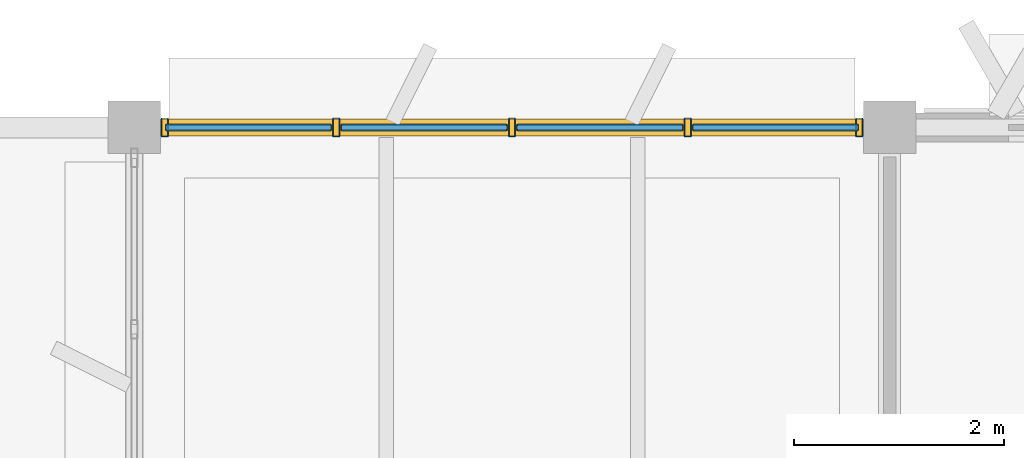
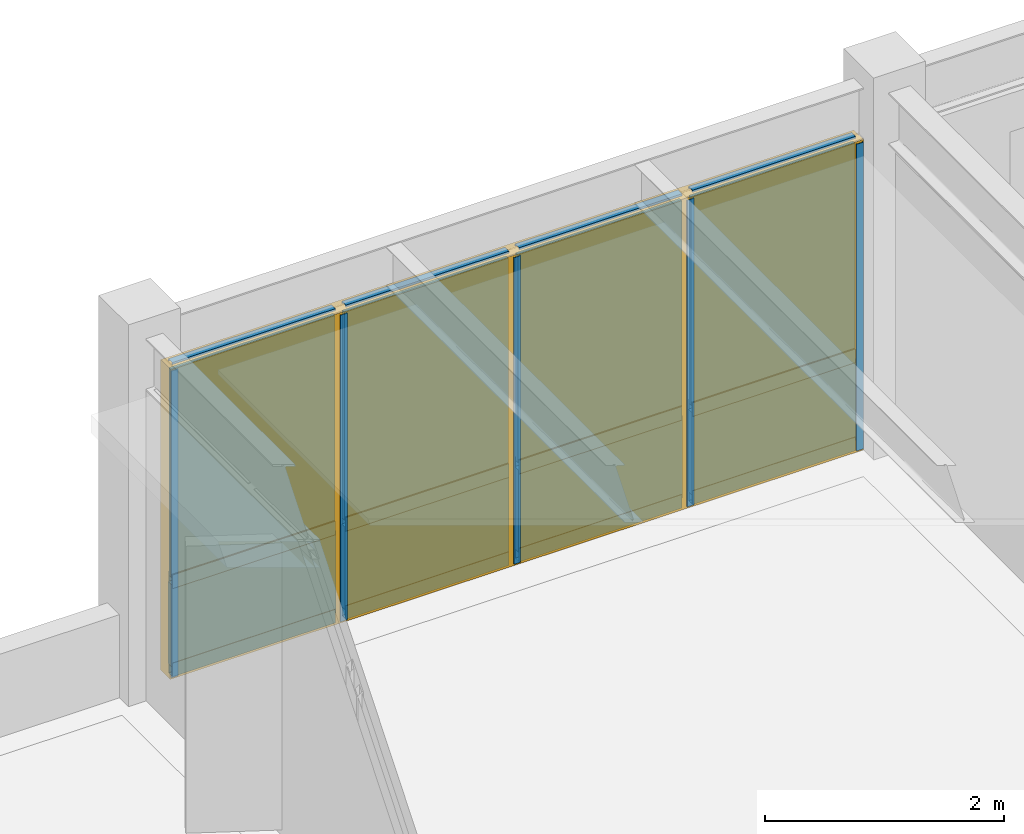
# One storey, part 15 of 23: 17 members, 8 plates, 1 curtain wall.
"""IFC4 building model written with IfcOpenShell, lengths in metres."""

from ifc_helpers import new_model, si_unit, direction, frame, origin, origin_2d, place, context, subcontext, project, spatial, rectangle, hollow_rectangle, extrude, material, layer, layer_set, material_profile, profile_set, type_object, element, aggregate, save


model = new_model("IFC4")

# Units and contexts
model_context = context("Model", 3, precision=1e-05, world=origin(), true_north=direction((0.0, 1.0)))
body_context = subcontext(model_context, "Body", "Model", "MODEL_VIEW")
ifc_project = project(units=[si_unit("LENGTHUNIT", "METRE"), si_unit("AREAUNIT", "SQUARE_METRE"), si_unit("VOLUMEUNIT", "CUBIC_METRE"), si_unit("PLANEANGLEUNIT", "RADIAN"), si_unit("MASSUNIT", "GRAM", prefix="KILO")], contexts=[model_context])

# Member
ifc_material_1 = material(Name="Anodized Aluminium 6063-T6", Category="aluminium")
ifc_material_profile_1 = material_profile(ifc_material_1, hollow_rectangle(XDim=0.06494140625, YDim=0.179931640625, WallThickness=0.00390625, at=origin_2d()), Name="ALU 65x180x4")
ifc_profile_set_1 = profile_set([ifc_material_profile_1], Name="Anodized Aluminium 6063-T6")
member_type_1 = type_object("IfcMemberType", Name="CWM-65X150", PredefinedType="MULLION", material=ifc_profile_set_1)
site_placement = place(None, origin())
building_placement = place(site_placement, origin())
storey_placement = place(building_placement, frame((0.0, 0.0, 21.89990234375)))
member_1_placement = place(storey_placement, frame((50.68994140625, 115.199951171875, 0.02001953125), z_axis=(0.0, 0.0, 1.0), x_axis=(1.0, 0.0, 0.0)))
member_1 = element("IfcMember", 1, at=member_1_placement, type_object=member_type_1, Name="Curtain wall mullion CW-L06-07-15-N-00", PredefinedType="MULLION", context=body_context, shape_type="SweptSolid", body=[
    extrude(hollow_rectangle(XDim=0.06494140625, YDim=0.179931640625, WallThickness=0.00390625, at=origin_2d()), origin(), (0.0, 0.0, 1.0), 3.132080078125),
])

member_2_placement = place(storey_placement, frame((52.324951171875, 115.199951171875, 0.02001953125), z_axis=(0.0, 0.0, 1.0), x_axis=(1.0, 0.0, 0.0)))
member_2 = element("IfcMember", 2, at=member_2_placement, type_object=member_type_1, Name="Curtain wall mullion CW-L06-07-15-N-01", PredefinedType="MULLION", context=body_context, shape_type="SweptSolid", body=[
    extrude(hollow_rectangle(XDim=0.06494140625, YDim=0.179931640625, WallThickness=0.00390625, at=origin_2d()), origin(), (0.0, 0.0, 1.0), 3.132080078125),
])

member_3_placement = place(storey_placement, frame((54.0, 115.199951171875, 0.02001953125), z_axis=(0.0, 0.0, 1.0), x_axis=(1.0, 0.0, 0.0)))
member_3 = element("IfcMember", 3, at=member_3_placement, type_object=member_type_1, Name="Curtain wall mullion CW-L06-07-15-N-02", PredefinedType="MULLION", context=body_context, shape_type="SweptSolid", body=[
    extrude(hollow_rectangle(XDim=0.06494140625, YDim=0.179931640625, WallThickness=0.00390625, at=origin_2d()), origin(), (0.0, 0.0, 1.0), 3.132080078125),
])

member_4_placement = place(storey_placement, frame((55.675048828125, 115.199951171875, 0.02001953125), z_axis=(0.0, 0.0, 1.0), x_axis=(1.0, 0.0, 0.0)))
member_4 = element("IfcMember", 4, at=member_4_placement, type_object=member_type_1, Name="Curtain wall mullion CW-L06-07-15-N-03", PredefinedType="MULLION", context=body_context, shape_type="SweptSolid", body=[
    extrude(hollow_rectangle(XDim=0.06494140625, YDim=0.179931640625, WallThickness=0.00390625, at=origin_2d()), origin(), (0.0, 0.0, 1.0), 3.132080078125),
])

member_5_placement = place(storey_placement, frame((57.31005859375, 115.199951171875, 0.02001953125), z_axis=(0.0, 0.0, 1.0), x_axis=(1.0, 0.0, 0.0)))
member_5 = element("IfcMember", 5, at=member_5_placement, type_object=member_type_1, Name="Curtain wall mullion CW-L06-07-15-N-04", PredefinedType="MULLION", context=body_context, shape_type="SweptSolid", body=[
    extrude(hollow_rectangle(XDim=0.06494140625, YDim=0.179931640625, WallThickness=0.00390625, at=origin_2d()), origin(), (0.0, 0.0, 1.0), 3.132080078125),
])

ifc_material_profile_2 = material_profile(ifc_material_1, hollow_rectangle(XDim=0.06494140625, YDim=0.139892578125, WallThickness=0.00390625, at=origin_2d()), Name="ALU 65x140x4")
ifc_profile_set_2 = profile_set([ifc_material_profile_2], Name="Anodized Aluminium 6063-T6")
member_type_2 = type_object("IfcMemberType", Name="CWT-65X120", PredefinedType="USERDEFINED", material=ifc_profile_set_2)
member_6_placement = place(storey_placement, frame((50.699951171875, 115.199951171875, 0.050048828125), z_axis=(1.0, 0.0, 0.0), x_axis=(0.0, 1.0, 0.0)))
member_6 = element("IfcMember", 6, at=member_6_placement, type_object=member_type_2, Name="Curtain wall transom CW-L06-07-15-N-1.01", ObjectType="TRANSOM", PredefinedType="USERDEFINED", context=body_context, shape_type="SweptSolid", body=[
    extrude(hollow_rectangle(XDim=0.06494140625, YDim=0.139892578125, WallThickness=0.00390625, at=origin_2d()), origin(), (0.0, 0.0, 1.0), 1.574951171875),
])

member_7_placement = place(storey_placement, frame((52.375, 115.199951171875, 0.050048828125), z_axis=(1.0, 0.0, 0.0), x_axis=(0.0, 1.0, 0.0)))
member_7 = element("IfcMember", 7, at=member_7_placement, type_object=member_type_2, Name="Curtain wall transom CW-L06-07-15-N-1.02", ObjectType="TRANSOM", PredefinedType="USERDEFINED", context=body_context, shape_type="SweptSolid", body=[
    extrude(hollow_rectangle(XDim=0.06494140625, YDim=0.139892578125, WallThickness=0.00390625, at=origin_2d()), origin(), (0.0, 0.0, 1.0), 1.574951171875),
])

member_8_placement = place(storey_placement, frame((54.050048828125, 115.199951171875, 0.050048828125), z_axis=(1.0, 0.0, 0.0), x_axis=(0.0, 1.0, 0.0)))
member_8 = element("IfcMember", 8, at=member_8_placement, type_object=member_type_2, Name="Curtain wall transom CW-L06-07-15-N-1.03", ObjectType="TRANSOM", PredefinedType="USERDEFINED", context=body_context, shape_type="SweptSolid", body=[
    extrude(hollow_rectangle(XDim=0.06494140625, YDim=0.139892578125, WallThickness=0.00390625, at=origin_2d()), origin(), (0.0, 0.0, 1.0), 1.574951171875),
])

member_9_placement = place(storey_placement, frame((55.72509765625, 115.199951171875, 0.050048828125), z_axis=(1.0, 0.0, 0.0), x_axis=(0.0, 1.0, 0.0)))
member_9 = element("IfcMember", 9, at=member_9_placement, type_object=member_type_2, Name="Curtain wall transom CW-L06-07-15-N-1.04", ObjectType="TRANSOM", PredefinedType="USERDEFINED", context=body_context, shape_type="SweptSolid", body=[
    extrude(hollow_rectangle(XDim=0.06494140625, YDim=0.139892578125, WallThickness=0.00390625, at=origin_2d()), origin(), (0.0, 0.0, 1.0), 1.574951171875),
])

member_10_placement = place(storey_placement, frame((50.699951171875, 115.199951171875, 0.9501953125), z_axis=(1.0, 0.0, 0.0), x_axis=(0.0, 1.0, 0.0)))
member_10 = element("IfcMember", 10, at=member_10_placement, type_object=member_type_2, Name="Curtain wall transom CW-L06-07-15-N-2.01", ObjectType="TRANSOM", PredefinedType="USERDEFINED", context=body_context, shape_type="SweptSolid", body=[
    extrude(hollow_rectangle(XDim=0.06494140625, YDim=0.139892578125, WallThickness=0.00390625, at=origin_2d()), origin(), (0.0, 0.0, 1.0), 1.574951171875),
])

member_11_placement = place(storey_placement, frame((52.375, 115.199951171875, 0.9501953125), z_axis=(1.0, 0.0, 0.0), x_axis=(0.0, 1.0, 0.0)))
member_11 = element("IfcMember", 11, at=member_11_placement, type_object=member_type_2, Name="Curtain wall transom CW-L06-07-15-N-2.02", ObjectType="TRANSOM", PredefinedType="USERDEFINED", context=body_context, shape_type="SweptSolid", body=[
    extrude(hollow_rectangle(XDim=0.06494140625, YDim=0.139892578125, WallThickness=0.00390625, at=origin_2d()), origin(), (0.0, 0.0, 1.0), 1.574951171875),
])

member_12_placement = place(storey_placement, frame((54.050048828125, 115.199951171875, 0.9501953125), z_axis=(1.0, 0.0, 0.0), x_axis=(0.0, 1.0, 0.0)))
member_12 = element("IfcMember", 12, at=member_12_placement, type_object=member_type_2, Name="Curtain wall transom CW-L06-07-15-N-2.03", ObjectType="TRANSOM", PredefinedType="USERDEFINED", context=body_context, shape_type="SweptSolid", body=[
    extrude(hollow_rectangle(XDim=0.06494140625, YDim=0.139892578125, WallThickness=0.00390625, at=origin_2d()), origin(), (0.0, 0.0, 1.0), 1.574951171875),
])

member_13_placement = place(storey_placement, frame((55.72509765625, 115.199951171875, 0.9501953125), z_axis=(1.0, 0.0, 0.0), x_axis=(0.0, 1.0, 0.0)))
member_13 = element("IfcMember", 13, at=member_13_placement, type_object=member_type_2, Name="Curtain wall transom CW-L06-07-15-N-2.04", ObjectType="TRANSOM", PredefinedType="USERDEFINED", context=body_context, shape_type="SweptSolid", body=[
    extrude(hollow_rectangle(XDim=0.06494140625, YDim=0.139892578125, WallThickness=0.00390625, at=origin_2d()), origin(), (0.0, 0.0, 1.0), 1.574951171875),
])

member_14_placement = place(storey_placement, frame((50.699951171875, 115.199951171875, 3.1220703125), z_axis=(1.0, 0.0, 0.0), x_axis=(0.0, 1.0, 0.0)))
member_14 = element("IfcMember", 14, at=member_14_placement, type_object=member_type_2, Name="Curtain wall transom CW-L06-07-15-N-3.01", ObjectType="TRANSOM", PredefinedType="USERDEFINED", context=body_context, shape_type="SweptSolid", body=[
    extrude(hollow_rectangle(XDim=0.06494140625, YDim=0.139892578125, WallThickness=0.00390625, at=origin_2d()), origin(), (0.0, 0.0, 1.0), 1.574951171875),
])

member_15_placement = place(storey_placement, frame((52.375, 115.199951171875, 3.1220703125), z_axis=(1.0, 0.0, 0.0), x_axis=(0.0, 1.0, 0.0)))
member_15 = element("IfcMember", 15, at=member_15_placement, type_object=member_type_2, Name="Curtain wall transom CW-L06-07-15-N-3.02", ObjectType="TRANSOM", PredefinedType="USERDEFINED", context=body_context, shape_type="SweptSolid", body=[
    extrude(hollow_rectangle(XDim=0.06494140625, YDim=0.139892578125, WallThickness=0.00390625, at=origin_2d()), origin(), (0.0, 0.0, 1.0), 1.574951171875),
])

member_16_placement = place(storey_placement, frame((54.050048828125, 115.199951171875, 3.1220703125), z_axis=(1.0, 0.0, 0.0), x_axis=(0.0, 1.0, 0.0)))
member_16 = element("IfcMember", 16, at=member_16_placement, type_object=member_type_2, Name="Curtain wall transom CW-L06-07-15-N-3.03", ObjectType="TRANSOM", PredefinedType="USERDEFINED", context=body_context, shape_type="SweptSolid", body=[
    extrude(hollow_rectangle(XDim=0.06494140625, YDim=0.139892578125, WallThickness=0.00390625, at=origin_2d()), origin(), (0.0, 0.0, 1.0), 1.574951171875),
])

member_17_placement = place(storey_placement, frame((55.72509765625, 115.199951171875, 3.1220703125), z_axis=(1.0, 0.0, 0.0), x_axis=(0.0, 1.0, 0.0)))
member_17 = element("IfcMember", 17, at=member_17_placement, type_object=member_type_2, Name="Curtain wall transom CW-L06-07-15-N-3.04", ObjectType="TRANSOM", PredefinedType="USERDEFINED", context=body_context, shape_type="SweptSolid", body=[
    extrude(hollow_rectangle(XDim=0.06494140625, YDim=0.139892578125, WallThickness=0.00390625, at=origin_2d()), origin(), (0.0, 0.0, 1.0), 1.574951171875),
])

# Plate
ifc_material_2 = material(Name="Double Low-E Insulated Glazing Unit", Category="glass")
ifc_layer_1 = layer(ifc_material_2, 0.0380859375)
ifc_layer_set_1 = layer_set([ifc_layer_1], Name="Double Low-E Insulated Glazing Unit")
plate_type_1 = type_object("IfcPlateType", Name="CWP-IGU-38", PredefinedType="CURTAIN_PANEL", material=ifc_layer_set_1)
plate_1_placement = place(storey_placement, frame((51.487548828125, 115.199951171875, 0.989990234375), z_axis=(0.0, 0.0, 1.0), x_axis=(1.0, 0.0, 0.0)))
plate_1 = element("IfcPlate", 18, at=plate_1_placement, type_object=plate_type_1, Name="Curtain wall vision glazing CW-L06-07-15-N-01", PredefinedType="CURTAIN_PANEL", context=body_context, shape_type="SweptSolid", body=[
    extrude(rectangle(XDim=1.5849609375, YDim=0.0400390625, at=origin_2d()), origin(), (0.0, 0.0, 1.0), 2.1220703125),
])

plate_2_placement = place(storey_placement, frame((53.16259765625, 115.199951171875, 0.989990234375), z_axis=(0.0, 0.0, 1.0), x_axis=(1.0, 0.0, 0.0)))
plate_2 = element("IfcPlate", 19, at=plate_2_placement, type_object=plate_type_1, Name="Curtain wall vision glazing CW-L06-07-15-N-02", PredefinedType="CURTAIN_PANEL", context=body_context, shape_type="SweptSolid", body=[
    extrude(rectangle(XDim=1.5849609375, YDim=0.0400390625, at=origin_2d()), origin(), (0.0, 0.0, 1.0), 2.1220703125),
])

plate_3_placement = place(storey_placement, frame((54.83740234375, 115.199951171875, 0.989990234375), z_axis=(0.0, 0.0, 1.0), x_axis=(1.0, 0.0, 0.0)))
plate_3 = element("IfcPlate", 20, at=plate_3_placement, type_object=plate_type_1, Name="Curtain wall vision glazing CW-L06-07-15-N-03", PredefinedType="CURTAIN_PANEL", context=body_context, shape_type="SweptSolid", body=[
    extrude(rectangle(XDim=1.5849609375, YDim=0.0400390625, at=origin_2d()), origin(), (0.0, 0.0, 1.0), 2.1220703125),
])

plate_4_placement = place(storey_placement, frame((56.512451171875, 115.199951171875, 0.989990234375), z_axis=(0.0, 0.0, 1.0), x_axis=(1.0, 0.0, 0.0)))
plate_4 = element("IfcPlate", 21, at=plate_4_placement, type_object=plate_type_1, Name="Curtain wall vision glazing CW-L06-07-15-N-04", PredefinedType="CURTAIN_PANEL", context=body_context, shape_type="SweptSolid", body=[
    extrude(rectangle(XDim=1.5849609375, YDim=0.0400390625, at=origin_2d()), origin(), (0.0, 0.0, 1.0), 2.1220703125),
])

ifc_material_3 = material(Name="Insulated Bronze Aluminium Spandrel", Category="aluminium")
ifc_layer_2 = layer(ifc_material_3, 0.06005859375)
ifc_layer_set_2 = layer_set([ifc_layer_2], Name="Insulated Bronze Aluminium Spandrel")
plate_type_2 = type_object("IfcPlateType", Name="CWP-SPN-60", PredefinedType="CURTAIN_PANEL", material=ifc_layer_set_2)
plate_5_placement = place(storey_placement, frame((51.487548828125, 115.199951171875, 0.080078125), z_axis=(0.0, 0.0, 1.0), x_axis=(1.0, 0.0, 0.0)))
plate_5 = element("IfcPlate", 22, at=plate_5_placement, type_object=plate_type_2, Name="Curtain wall spandrel panel CW-L06-07-15-N-01", PredefinedType="CURTAIN_PANEL", context=body_context, shape_type="SweptSolid", body=[
    extrude(rectangle(XDim=1.5849609375, YDim=0.06005859375, at=origin_2d()), origin(), (0.0, 0.0, 1.0), 0.840087890625),
])

plate_6_placement = place(storey_placement, frame((53.16259765625, 115.199951171875, 0.080078125), z_axis=(0.0, 0.0, 1.0), x_axis=(1.0, 0.0, 0.0)))
plate_6 = element("IfcPlate", 23, at=plate_6_placement, type_object=plate_type_2, Name="Curtain wall spandrel panel CW-L06-07-15-N-02", PredefinedType="CURTAIN_PANEL", context=body_context, shape_type="SweptSolid", body=[
    extrude(rectangle(XDim=1.5849609375, YDim=0.06005859375, at=origin_2d()), origin(), (0.0, 0.0, 1.0), 0.840087890625),
])

plate_7_placement = place(storey_placement, frame((54.83740234375, 115.199951171875, 0.080078125), z_axis=(0.0, 0.0, 1.0), x_axis=(1.0, 0.0, 0.0)))
plate_7 = element("IfcPlate", 24, at=plate_7_placement, type_object=plate_type_2, Name="Curtain wall spandrel panel CW-L06-07-15-N-03", PredefinedType="CURTAIN_PANEL", context=body_context, shape_type="SweptSolid", body=[
    extrude(rectangle(XDim=1.5849609375, YDim=0.06005859375, at=origin_2d()), origin(), (0.0, 0.0, 1.0), 0.840087890625),
])

plate_8_placement = place(storey_placement, frame((56.512451171875, 115.199951171875, 0.080078125), z_axis=(0.0, 0.0, 1.0), x_axis=(1.0, 0.0, 0.0)))
plate_8 = element("IfcPlate", 25, at=plate_8_placement, type_object=plate_type_2, Name="Curtain wall spandrel panel CW-L06-07-15-N-04", PredefinedType="CURTAIN_PANEL", context=body_context, shape_type="SweptSolid", body=[
    extrude(rectangle(XDim=1.5849609375, YDim=0.06005859375, at=origin_2d()), origin(), (0.0, 0.0, 1.0), 0.840087890625),
])

# Site, building, storey
site = spatial("IfcSite", under=ifc_project, at=site_placement, CompositionType="ELEMENT")
building = spatial("IfcBuilding", under=site, at=building_placement, Name="Sillqori Civic Hall", CompositionType="ELEMENT")
storey = spatial("IfcBuildingStorey", under=building, at=storey_placement, Name="L06", CompositionType="ELEMENT", Elevation=21.89990234375)

# Curtain wall
ifc_material_4 = material(Name="Anodized Aluminium Curtain Wall System", Category="aluminium")
curtain_wall_type = type_object("IfcCurtainWallType", Name="CW-EX-375", PredefinedType="NOTDEFINED", material=ifc_material_4)
curtain_wall_placement = place(storey_placement, frame((54.0, 115.199951171875, 0.0), z_axis=(0.0, 0.0, 1.0), x_axis=(1.0, 0.0, 0.0)))
curtain_wall = element("IfcCurtainWall", 26, at=curtain_wall_placement, inside=storey, type_object=curtain_wall_type, Name="L06 unitised curtain wall CW-L06-07-15-N", PredefinedType="NOTDEFINED", context=body_context, shape_type="SweptSolid", body=[
    extrude(rectangle(XDim=6.699951171875, YDim=0.159912109375, at=origin_2d()), origin(), (0.0, 0.0, 1.0), 3.172119140625),
])

aggregate(curtain_wall, [member_1, member_2, member_3, member_4, member_5, member_6, member_7, member_8, member_9, member_10, member_11, member_12, member_13, member_14, member_15, member_16, member_17, plate_5, plate_1, plate_6, plate_2, plate_7, plate_3, plate_8, plate_4])

save(model, "model.ifc")
